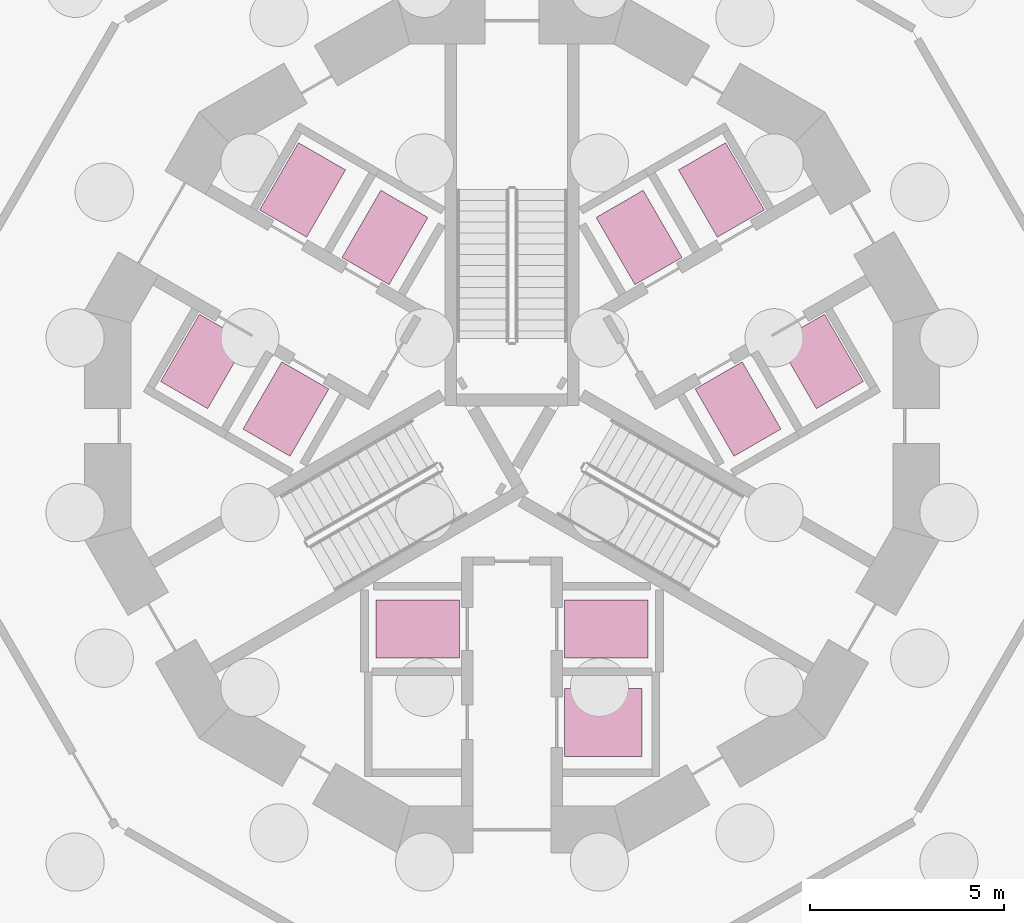
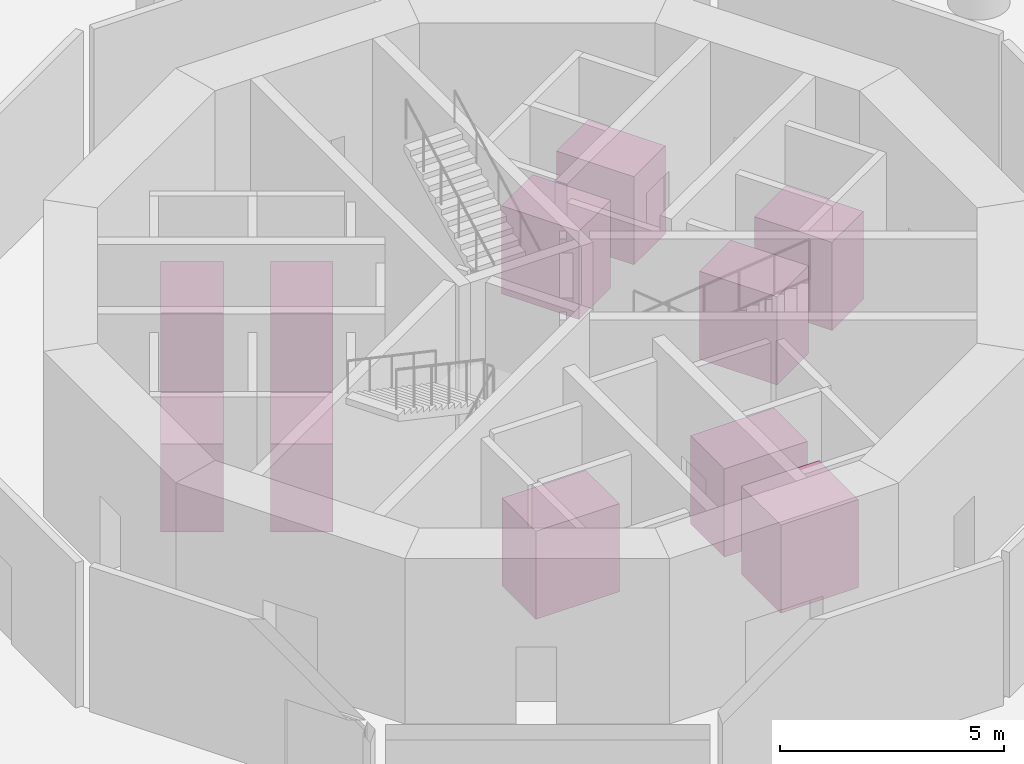
# One storey, part 23 of 23: 11 transport elements.
"""IFC4 building model written with IfcOpenShell, lengths in metres."""

from ifc_helpers import new_model, si_unit, direction, frame, origin, origin_2d, place, context, subcontext, project, spatial, rectangle, extrude, material, type_object, element, save


model = new_model("IFC4")

# Units and contexts
model_context = context("Model", 3, precision=1e-05, world=origin(), true_north=direction((0.0, 1.0)))
body_context = subcontext(model_context, "Body", "Model", "MODEL_VIEW")
ifc_project = project(units=[si_unit("LENGTHUNIT", "METRE"), si_unit("AREAUNIT", "SQUARE_METRE"), si_unit("VOLUMEUNIT", "CUBIC_METRE"), si_unit("PLANEANGLEUNIT", "RADIAN"), si_unit("MASSUNIT", "GRAM", prefix="KILO")], contexts=[model_context])

# Site, building, storey
site_placement = place(None, origin())
site = spatial("IfcSite", under=ifc_project, at=site_placement, CompositionType="ELEMENT")
building_placement = place(site_placement, origin())
building = spatial("IfcBuilding", under=site, at=building_placement, Name="Trine Commons Tower", CompositionType="ELEMENT")
storey_placement = place(building_placement, frame((0.0, 0.0, -9.0)))
storey = spatial("IfcBuildingStorey", under=building, at=storey_placement, Name="B2", CompositionType="ELEMENT", Elevation=-9.0)

# Transport elements
ifc_material = material(Name="Stainless steel lift car", Category="steel")
transport_element_type_1 = type_object("IfcTransportElementType", Name="Express passenger lift car 1275 kg, 1400 x 2000", PredefinedType="ELEVATOR", material=ifc_material)
for number, where, z_axis, x_axis, name in (
    (1, (83.271484375, 67.33349609375, 0.0), (0.0, 0.0, 1.0), (0.866025403784, 0.5, 0.0), "Express passenger lift HR1"),
    (2, (85.821533203125, 62.91650390625, 0.0), (0.0, 0.0, 1.0), (0.866025403784, 0.5, 0.0), "Express passenger lift HR2"),
    (3, (74.178466796875, 62.91650390625, 0.0), (0.0, 0.0, 1.0), (-0.866025403784, 0.5, 0.0), "Express passenger lift HR3"),
    (4, (76.728515625, 67.33349609375, 0.0), (0.0, 0.0, 1.0), (-0.866025403784, 0.5, 0.0), "Express passenger lift HR4"),
):
    element("IfcTransportElement", number, at=place(storey_placement, frame(where, z_axis=z_axis, x_axis=x_axis)), inside=storey, type_object=transport_element_type_1, Name=name, PredefinedType="ELEVATOR", context=body_context, shape_type="SweptSolid", body=[
        extrude(rectangle(XDim=1.39990234375, YDim=2.0, at=origin_2d()), origin(), (0.0, 0.0, 1.0), 2.39990234375),
    ])
transport_element_type_2 = type_object("IfcTransportElementType", Name="Firefighting and evacuation lift car 1275 kg, 1500 x 2150", PredefinedType="ELEVATOR", material=ifc_material)
for number, where, z_axis, x_axis, name in (
    (5, (82.425048828125, 57.25, 0.0), (0.0, 0.0, 1.0), (0.0, -1.0, 0.0), "Firefighting and evacuation lift FF1"),
    (6, (77.574951171875, 57.25, 0.0), (0.0, 0.0, 1.0), (0.0, -1.0, 0.0), "Firefighting and evacuation lift FF2"),
):
    element("IfcTransportElement", number, at=place(storey_placement, frame(where, z_axis=z_axis, x_axis=x_axis)), inside=storey, type_object=transport_element_type_2, Name=name, PredefinedType="ELEVATOR", context=body_context, shape_type="SweptSolid", body=[
        extrude(rectangle(XDim=1.5, YDim=2.14990234375, at=origin_2d()), origin(), (0.0, 0.0, 1.0), 2.39990234375),
    ])
transport_element_type_3 = type_object("IfcTransportElementType", Name="Goods lift car 2000 kg, 1750 x 2000", PredefinedType="ELEVATOR", material=ifc_material)
transport_element_placement = place(storey_placement, frame((82.35009765625, 54.85009765625, 0.0), z_axis=(0.0, 0.0, 1.0), x_axis=(0.0, -1.0, 0.0)))
element("IfcTransportElement", 7, at=transport_element_placement, inside=storey, type_object=transport_element_type_3, Name="Goods lift G1", PredefinedType="ELEVATOR", context=body_context, shape_type="SweptSolid", body=[
    extrude(rectangle(XDim=1.75, YDim=2.0, at=origin_2d()), origin(), (0.0, 0.0, 1.0), 2.39990234375),
])
transport_element_type_4 = type_object("IfcTransportElementType", Name="Passenger lift car 1275 kg, 1400 x 2000", PredefinedType="ELEVATOR", material=ifc_material)
for number, where, z_axis, x_axis, name in (
    (8, (85.393310546875, 68.558349609375, 0.0), (0.0, 0.0, 1.0), (0.866025403784, 0.5, 0.0), "Passenger lift LR1"),
    (9, (87.943359375, 64.1416015625, 0.0), (0.0, 0.0, 1.0), (0.866025403784, 0.5, 0.0), "Passenger lift LR2"),
    (10, (72.056640625, 64.1416015625, 0.0), (0.0, 0.0, 1.0), (-0.866025403784, 0.5, 0.0), "Passenger lift LR3"),
    (11, (74.606689453125, 68.558349609375, 0.0), (0.0, 0.0, 1.0), (-0.866025403784, 0.5, 0.0), "Passenger lift LR4"),
):
    element("IfcTransportElement", number, at=place(storey_placement, frame(where, z_axis=z_axis, x_axis=x_axis)), inside=storey, type_object=transport_element_type_4, Name=name, PredefinedType="ELEVATOR", context=body_context, shape_type="SweptSolid", body=[
        extrude(rectangle(XDim=1.39990234375, YDim=2.0, at=origin_2d()), origin(), (0.0, 0.0, 1.0), 2.39990234375),
    ])

save(model, "model.ifc")
